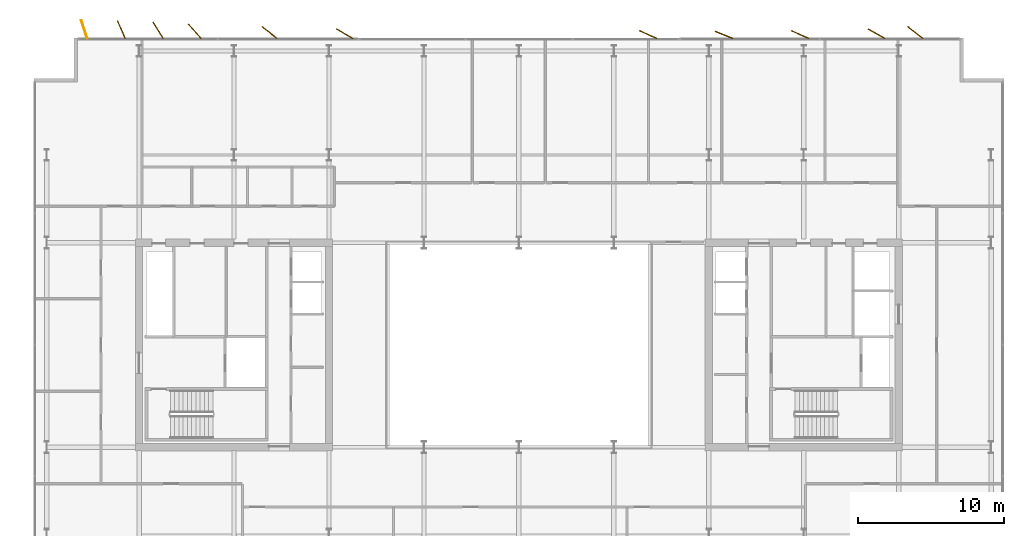
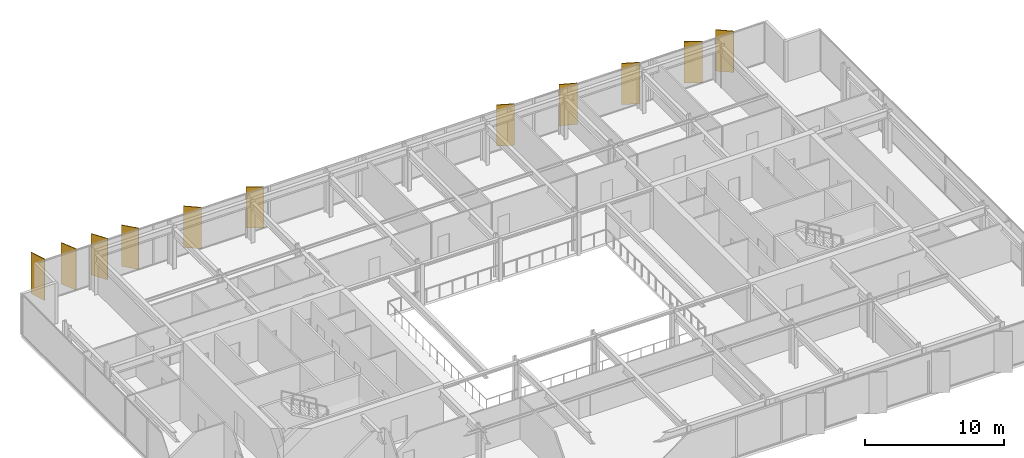
# One storey, part 23 of 23: 11 shading devices.
"""IFC4 building model written with IfcOpenShell, lengths in metres."""

from ifc_helpers import new_model, si_unit, direction, frame, origin, origin_2d, place, context, subcontext, project, spatial, rectangle, extrude, material, layer, layer_set, type_object, element, save


model = new_model("IFC4")

# Units and contexts
model_context = context("Model", 3, precision=1e-05, world=origin(), true_north=direction((0.0, 1.0)))
body_context = subcontext(model_context, "Body", "Model", "MODEL_VIEW")
ifc_project = project(units=[si_unit("LENGTHUNIT", "METRE"), si_unit("AREAUNIT", "SQUARE_METRE"), si_unit("VOLUMEUNIT", "CUBIC_METRE"), si_unit("PLANEANGLEUNIT", "RADIAN"), si_unit("MASSUNIT", "GRAM", prefix="KILO")], contexts=[model_context])

# Site, building, storey
site_placement = place(None, origin())
site = spatial("IfcSite", under=ifc_project, at=site_placement, CompositionType="ELEMENT")
building_placement = place(site_placement, origin())
building = spatial("IfcBuilding", under=site, at=building_placement, Name="Putna Gate Headquarters", CompositionType="ELEMENT")
storey_placement = place(building_placement, frame((0.0, 0.0, 232.800048828125)))
storey = spatial("IfcBuildingStorey", under=building, at=storey_placement, Name="L58", CompositionType="ELEMENT", Elevation=232.800048828125)

# Shading devices
ifc_material = material(Name="Anodised architectural bronze aluminium fin", Category="aluminium")
ifc_layer = layer(ifc_material, 0.06494140625)
ifc_layer_set = layer_set([ifc_layer], Name="Anodised architectural bronze aluminium fin")
shading_device_type = type_object("IfcShadingDeviceType", Name="SHADE-BRONZE-FIN-1320", PredefinedType="USERDEFINED", material=ifc_layer_set)
for number, where, z_axis, x_axis, name in (
    (1, (9.246337890625, 47.602783203125, -0.02001953125), (0.0, 0.0, 1.0), (-0.308684994204, 0.951164325631, 0.0), "L58 Bronze Vertical Shading Fin N1"),
    (2, (11.78564453125, 47.57958984375, -0.02001953125), (0.0, 0.0, 1.0), (-0.400668879095, 0.916222925562, 0.0), "L58 Bronze Vertical Shading Fin N2"),
    (3, (14.2998046875, 47.534423828125, -0.02001953125), (0.0, 0.0, 1.0), (-0.530659123936, 0.847585331506, 0.0), "L58 Bronze Vertical Shading Fin N3"),
    (4, (16.808349609375, 47.465576171875, -0.02001953125), (0.0, 0.0, 1.0), (-0.669130606359, 0.743144825477, 0.0), "L58 Bronze Vertical Shading Fin N4"),
    (5, (21.930419921875, 47.3818359375, -0.02001953125), (0.0, 0.0, 1.0), (-0.787473187632, 0.616348909921, 0.0), "L58 Bronze Vertical Shading Fin N5"),
    (6, (27.076171875, 47.30126953125, -0.02001953125), (0.0, 0.0, 1.0), (-0.869322458298, 0.494245347472, 0.0), "L58 Bronze Vertical Shading Fin N6"),
    (7, (47.846923828125, 47.2431640625, -0.02001953125), (0.0, 0.0, 1.0), (-0.913687379856, 0.40641773078, 0.0), "L58 Bronze Vertical Shading Fin N7"),
    (8, (53.0380859375, 47.22216796875, -0.02001953125), (0.0, 0.0, 1.0), (-0.927183854567, 0.374606593416, 0.0), "L58 Bronze Vertical Shading Fin N8"),
    (9, (58.2470703125, 47.2431640625, -0.02001953125), (0.0, 0.0, 1.0), (-0.913687379856, 0.40641773078, 0.0), "L58 Bronze Vertical Shading Fin N9"),
    (10, (63.476318359375, 47.30126953125, -0.02001953125), (0.0, 0.0, 1.0), (-0.869322458298, 0.494245347472, 0.0), "L58 Bronze Vertical Shading Fin N10"),
    (11, (66.13037109375, 47.3818359375, -0.02001953125), (0.0, 0.0, 1.0), (-0.787473187632, 0.616348909921, 0.0), "L58 Bronze Vertical Shading Fin N11"),
):
    element("IfcShadingDevice", number, at=place(storey_placement, frame(where, z_axis=z_axis, x_axis=x_axis)), inside=storey, type_object=shading_device_type, Name=name, ObjectType="FIN", PredefinedType="USERDEFINED", context=body_context, shape_type="SweptSolid", body=[
        extrude(rectangle(XDim=1.320068359375, YDim=0.06494140625, at=origin_2d()), origin(), (0.0, 0.0, 1.0), 3.6201171875),
    ])

save(model, "model.ifc")
